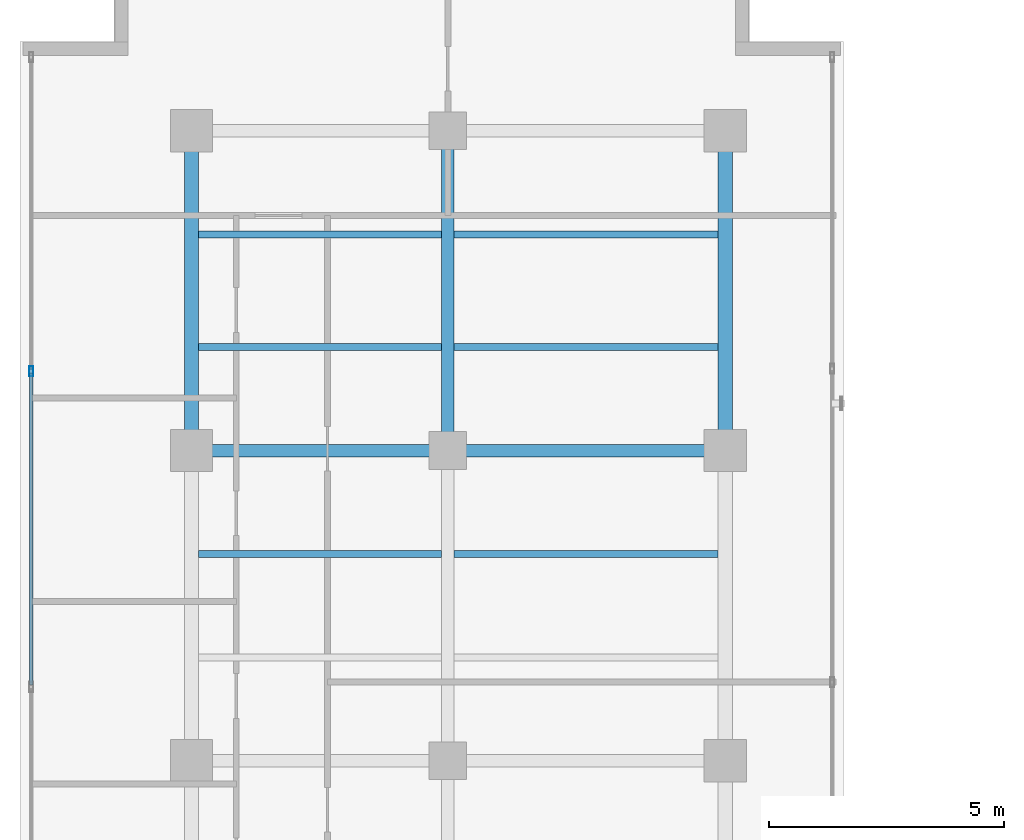
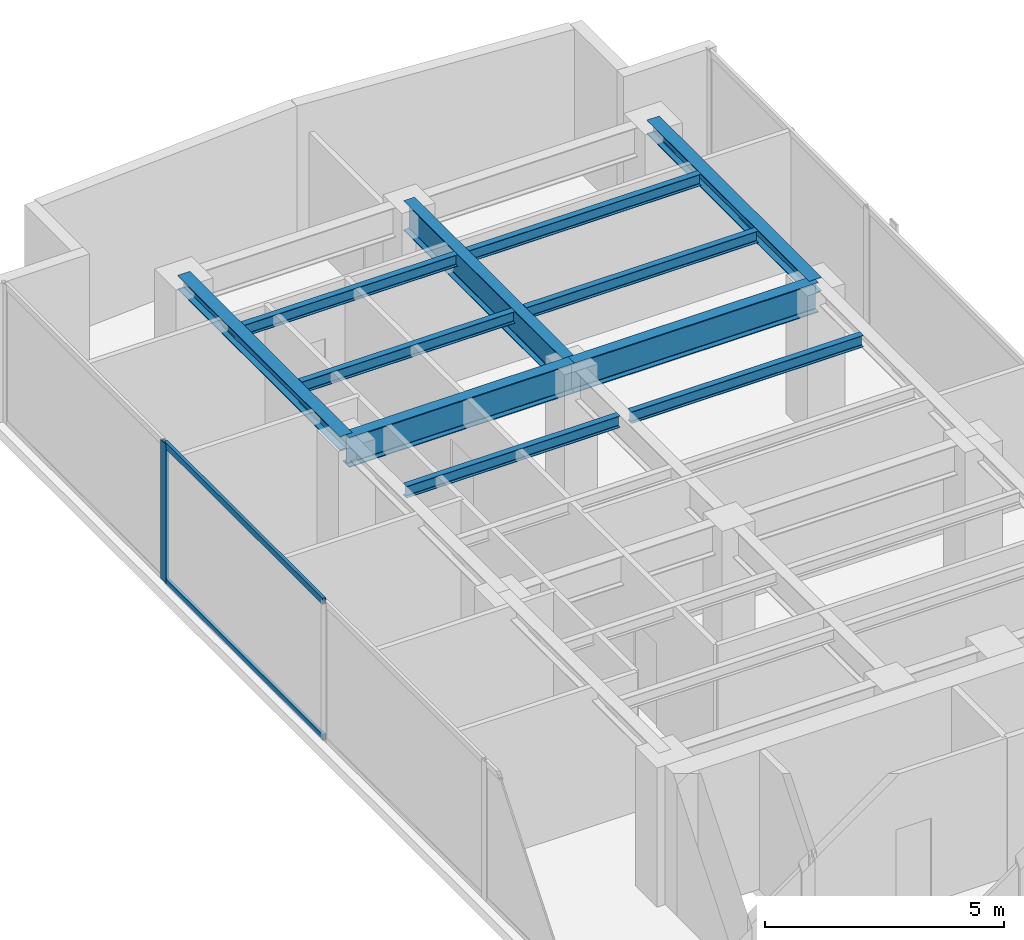
# One storey, part 13 of 24: 11 beams, 3 members, 1 element without a shape of its own.
"""IFC4 building model written with IfcOpenShell, lengths in metres."""

from ifc_helpers import new_model, si_unit, direction, frame, origin, origin_with_axes, origin_2d, place, context, subcontext, project, spatial, hollow_rectangle, i_section, extrude, source, transform, mapped, material, layer, layer_set, material_profile, profile_set, type_object, element, aggregate, save


model = new_model("IFC4")

# Units and contexts
model_context = context("Model", 3, precision=1e-05, world=origin(), true_north=direction((0.0, 1.0)))
body_context = subcontext(model_context, "Body", "Model", "MODEL_VIEW")
ifc_project = project(units=[si_unit("LENGTHUNIT", "METRE"), si_unit("AREAUNIT", "SQUARE_METRE"), si_unit("VOLUMEUNIT", "CUBIC_METRE"), si_unit("PLANEANGLEUNIT", "RADIAN"), si_unit("MASSUNIT", "GRAM", prefix="KILO")], contexts=[model_context])

# Site, building, storey
site_placement = place(None, origin())
site = spatial("IfcSite", under=ifc_project, at=site_placement, CompositionType="ELEMENT")
building_placement = place(site_placement, origin())
building = spatial("IfcBuilding", under=site, at=building_placement, Name="Kolvaren Waterfront Exchange", CompositionType="ELEMENT")
storey_placement = place(building_placement, frame((0.0, 0.0, 293.199951171875)))
storey = spatial("IfcBuildingStorey", under=building, at=storey_placement, Name="L75", CompositionType="ELEMENT", Elevation=293.199951171875)

# Beams
ifc_material_1 = material(Name="Steel S355", Category="steel")
ifc_material_profile_1 = material_profile(ifc_material_1, i_section(OverallWidth=0.300048828125, OverallDepth=0.360107421875, WebThickness=0.012451171875, FlangeThickness=0.0224609375, FilletRadius=0.027099609375, at=origin_2d()), Name="HEB360")
ifc_profile_set_1 = profile_set([ifc_material_profile_1], Name="Steel S355")
beam_type_1 = type_object("IfcBeamType", Name="STR-BM-HEB360", PredefinedType="SPANDREL", material=ifc_profile_set_1)
for number, where, z_axis, x_axis, name in (
    (1, (7.449951171875, 37.800048828125, 3.380126953125), (0.0, 1.0, 0.0), (-1.0, 0.0, 0.0), "L75 north-arm edge beam 3"),
    (2, (18.800048828125, 37.800048828125, 3.380126953125), (0.0, 1.0, 0.0), (-1.0, 0.0, 0.0), "L75 north-arm edge beam 3"),
):
    element("IfcBeam", number, at=place(storey_placement, frame(where, z_axis=z_axis, x_axis=x_axis)), inside=storey, type_object=beam_type_1, Name=name, PredefinedType="SPANDREL", context=body_context, shape_type="SweptSolid", body=[
        extrude(i_section(OverallWidth=0.300048828125, OverallDepth=0.360107421875, WebThickness=0.012451171875, FlangeThickness=0.0224609375, FilletRadius=0.027099609375, at=origin_2d()), origin(), (0.0, 0.0, 1.0), 6.800048828125),
    ])
ifc_material_profile_2 = material_profile(ifc_material_1, i_section(OverallWidth=0.14990234375, OverallDepth=0.300048828125, WebThickness=0.007080078125, FlangeThickness=0.0107421875, FilletRadius=0.014892578125, at=origin_2d()), Name="IPE300")
ifc_profile_set_2 = profile_set([ifc_material_profile_2], Name="Steel S355")
beam_type_2 = type_object("IfcBeamType", Name="STR-BM-IPE300", PredefinedType="JOIST", material=ifc_profile_set_2)
beam_1_placement = place(storey_placement, frame((7.60205078125, 35.60009765625, 3.41015625), z_axis=(1.0, 0.0, 0.0), x_axis=(0.0, 1.0, 0.0)))
element("IfcBeam", 3, at=beam_1_placement, inside=storey, type_object=beam_type_2, Name="L75 north-arm composite joist 4A", PredefinedType="JOIST", context=body_context, shape_type="SweptSolid", body=[
    extrude(i_section(OverallWidth=0.14990234375, OverallDepth=0.300048828125, WebThickness=0.007080078125, FlangeThickness=0.0107421875, FilletRadius=0.014892578125, at=origin_2d()), origin(), (0.0, 0.0, 1.0), 5.162353515625),
])
beam_2_placement = place(storey_placement, frame((13.035400390625, 35.60009765625, 3.41015625), z_axis=(1.0, 0.0, 0.0), x_axis=(0.0, 1.0, 0.0)))
element("IfcBeam", 4, at=beam_2_placement, inside=storey, type_object=beam_type_2, Name="L75 north-arm composite joist 4B", PredefinedType="JOIST", context=body_context, shape_type="SweptSolid", body=[
    extrude(i_section(OverallWidth=0.14990234375, OverallDepth=0.300048828125, WebThickness=0.007080078125, FlangeThickness=0.0107421875, FilletRadius=0.014892578125, at=origin_2d()), origin(), (0.0, 0.0, 1.0), 5.612548828125),
])
beam_3_placement = place(storey_placement, frame((7.60205078125, 40.0, 3.41015625), z_axis=(1.0, 0.0, 0.0), x_axis=(0.0, 1.0, 0.0)))
element("IfcBeam", 5, at=beam_3_placement, inside=storey, type_object=beam_type_2, Name="L75 north-arm composite joist 5A", PredefinedType="JOIST", context=body_context, shape_type="SweptSolid", body=[
    extrude(i_section(OverallWidth=0.14990234375, OverallDepth=0.300048828125, WebThickness=0.007080078125, FlangeThickness=0.0107421875, FilletRadius=0.014892578125, at=origin_2d()), origin(), (0.0, 0.0, 1.0), 5.162353515625),
])
beam_4_placement = place(storey_placement, frame((13.035400390625, 40.0, 3.41015625), z_axis=(1.0, 0.0, 0.0), x_axis=(0.0, 1.0, 0.0)))
element("IfcBeam", 6, at=beam_4_placement, inside=storey, type_object=beam_type_2, Name="L75 north-arm composite joist 5B", PredefinedType="JOIST", context=body_context, shape_type="SweptSolid", body=[
    extrude(i_section(OverallWidth=0.14990234375, OverallDepth=0.300048828125, WebThickness=0.007080078125, FlangeThickness=0.0107421875, FilletRadius=0.014892578125, at=origin_2d()), origin(), (0.0, 0.0, 1.0), 5.612548828125),
])
beam_5_placement = place(storey_placement, frame((7.60205078125, 42.39990234375, 3.41015625), z_axis=(1.0, 0.0, 0.0), x_axis=(0.0, 1.0, 0.0)))
element("IfcBeam", 7, at=beam_5_placement, inside=storey, type_object=beam_type_2, Name="L75 north-arm composite joist 6A", PredefinedType="JOIST", context=body_context, shape_type="SweptSolid", body=[
    extrude(i_section(OverallWidth=0.14990234375, OverallDepth=0.300048828125, WebThickness=0.007080078125, FlangeThickness=0.0107421875, FilletRadius=0.014892578125, at=origin_2d()), origin(), (0.0, 0.0, 1.0), 5.162353515625),
])
beam_6_placement = place(storey_placement, frame((13.035400390625, 42.39990234375, 3.41015625), z_axis=(1.0, 0.0, 0.0), x_axis=(0.0, 1.0, 0.0)))
element("IfcBeam", 8, at=beam_6_placement, inside=storey, type_object=beam_type_2, Name="L75 north-arm composite joist 6B", PredefinedType="JOIST", context=body_context, shape_type="SweptSolid", body=[
    extrude(i_section(OverallWidth=0.14990234375, OverallDepth=0.300048828125, WebThickness=0.007080078125, FlangeThickness=0.0107421875, FilletRadius=0.014892578125, at=origin_2d()), origin(), (0.0, 0.0, 1.0), 5.612548828125),
])
ifc_material_profile_3 = material_profile(ifc_material_1, i_section(OverallWidth=0.26708984375, OverallDepth=0.761962890625, WebThickness=0.014404296875, FlangeThickness=0.021484375, FilletRadius=0.01708984375, at=origin_2d()), Name="IPE750x173")
ifc_profile_set_3 = profile_set([ifc_material_profile_3], Name="Steel S355")
beam_type_3 = type_object("IfcBeamType", Name="STR-BM-IPE750", PredefinedType="BEAM", material=ifc_profile_set_3)
beam_7_placement = place(storey_placement, frame((7.449951171875, 37.800048828125, 3.178955078125), z_axis=(1.0, 0.0, 0.0), x_axis=(0.0, 1.0, 0.0)))
element("IfcBeam", 9, at=beam_7_placement, inside=storey, type_object=beam_type_3, Name="L75 north-arm girder 3A", PredefinedType="BEAM", context=body_context, shape_type="SweptSolid", body=[
    extrude(i_section(OverallWidth=0.26708984375, OverallDepth=0.761962890625, WebThickness=0.014404296875, FlangeThickness=0.021484375, FilletRadius=0.01708984375, at=origin_2d()), origin(), (0.0, 0.0, 1.0), 5.449951171875),
])
beam_8_placement = place(storey_placement, frame((12.89990234375, 37.800048828125, 3.178955078125), z_axis=(1.0, 0.0, 0.0), x_axis=(0.0, 1.0, 0.0)))
element("IfcBeam", 10, at=beam_8_placement, inside=storey, type_object=beam_type_3, Name="L75 north-arm girder 3B", PredefinedType="BEAM", context=body_context, shape_type="SweptSolid", body=[
    extrude(i_section(OverallWidth=0.26708984375, OverallDepth=0.761962890625, WebThickness=0.014404296875, FlangeThickness=0.021484375, FilletRadius=0.01708984375, at=origin_2d()), origin(), (0.0, 0.0, 1.0), 5.900146484375),
])
beam_9_placement = place(storey_placement, frame((12.89990234375, 37.800048828125, 3.178955078125), z_axis=(0.0, 1.0, 0.0), x_axis=(-1.0, 0.0, 0.0)))
element("IfcBeam", 11, at=beam_9_placement, inside=storey, type_object=beam_type_3, Name="L75 north-arm edge beam 3", PredefinedType="BEAM", context=body_context, shape_type="SweptSolid", body=[
    extrude(i_section(OverallWidth=0.26708984375, OverallDepth=0.761962890625, WebThickness=0.014404296875, FlangeThickness=0.021484375, FilletRadius=0.01708984375, at=origin_2d()), origin(), (0.0, 0.0, 1.0), 6.800048828125),
])

# Curtain wall, members
ifc_material_2 = material(Name="Anodised aluminium 6063-T6", Category="aluminium")
ifc_layer = layer(ifc_material_2, 0.219970703125, Name="Anodised aluminium 6063-T6")
ifc_layer_set = layer_set([ifc_layer], Name="Anodised aluminium 6063-T6")
curtain_wall_type = type_object("IfcCurtainWallType", Name="ARC-CW-SYS2", PredefinedType="USERDEFINED", material=ifc_layer_set)
curtain_wall_placement = place(storey_placement, origin())
curtain_wall = element("IfcCurtainWall", 12, at=curtain_wall_placement, inside=storey, type_object=curtain_wall_type, Name="L75 stick curtain wall CW2 (CW-L75-W)", ObjectType="STICK CURTAIN WALL", PredefinedType="USERDEFINED")
ifc_material_profile_4 = material_profile(ifc_material_2, hollow_rectangle(XDim=0.080078125, YDim=0.219970703125, WallThickness=0.0048828125, at=origin_2d()), Name="ALU-MUL-220x80x5")
ifc_profile_set_4 = profile_set([ifc_material_profile_4], Name="Anodised aluminium 6063-T6")
member_type_1 = type_object("IfcMemberType", Name="ARC-CWM-220", PredefinedType="MULLION", material=ifc_profile_set_4)
shared_shape_1 = source(origin_with_axes(), body_context, "Body", "SweptSolid", [
    extrude(hollow_rectangle(XDim=0.080078125, YDim=0.219970703125, WallThickness=0.0048828125, at=origin_2d()), origin(), (0.0, 0.0, 1.0), 3.56005859375),
])
member_1_placement = place(storey_placement, frame((4.0400390625, 39.48779296875, 0.0), z_axis=(0.0, 0.0, 1.0), x_axis=(-1.0, 0.0, 0.0)))
member_1 = element("IfcMember", 13, at=member_1_placement, type_object=member_type_1, Name="CW2 mullion 6", PredefinedType="MULLION", context=body_context, shape_type="MappedRepresentation", body=[
    mapped(shared_shape_1, transform((0.0, 0.0, 0.0), x_axis=(1.0, 0.0, 0.0), y_axis=(0.0, 1.0, 0.0), z_axis=(0.0, 0.0, 1.0), scale=1.0)),
])
ifc_material_profile_5 = material_profile(ifc_material_2, hollow_rectangle(XDim=0.074951171875, YDim=0.159912109375, WallThickness=0.00439453125, at=origin_2d()), Name="ALU-TRN-160x75x4.5")
ifc_profile_set_5 = profile_set([ifc_material_profile_5], Name="Anodised aluminium 6063-T6")
member_type_2 = type_object("IfcMemberType", Name="ARC-CWT-160", PredefinedType="USERDEFINED", material=ifc_profile_set_5)
shared_shape_2 = source(origin_with_axes(), body_context, "Body", "SweptSolid", [
    extrude(hollow_rectangle(XDim=0.074951171875, YDim=0.159912109375, WallThickness=0.00439453125, at=origin_2d()), origin(), (0.0, 0.0, 1.0), 6.637451171875),
])
member_2_placement = place(storey_placement, frame((4.0400390625, 32.810302734375, 0.03759765625), z_axis=(0.0, 1.0, 0.0), x_axis=(-1.0, 0.0, 0.0)))
member_2 = element("IfcMember", 14, at=member_2_placement, type_object=member_type_2, Name="CW2 transom 5.1", ObjectType="TRANSOM", PredefinedType="USERDEFINED", context=body_context, shape_type="MappedRepresentation", body=[
    mapped(shared_shape_2, transform((0.0, 0.0, 0.0), x_axis=(1.0, 0.0, 0.0), y_axis=(0.0, 1.0, 0.0), z_axis=(0.0, 0.0, 1.0), scale=1.0)),
])
member_3_placement = place(storey_placement, frame((4.0400390625, 32.810302734375, 3.5224609375), z_axis=(0.0, 1.0, 0.0), x_axis=(-1.0, 0.0, 0.0)))
member_3 = element("IfcMember", 15, at=member_3_placement, type_object=member_type_2, Name="CW2 transom 5.2", ObjectType="TRANSOM", PredefinedType="USERDEFINED", context=body_context, shape_type="MappedRepresentation", body=[
    mapped(shared_shape_2, transform((0.0, 0.0, 0.0), x_axis=(1.0, 0.0, 0.0), y_axis=(0.0, 1.0, 0.0), z_axis=(0.0, 0.0, 1.0), scale=1.0)),
])
aggregate(curtain_wall, [member_1, member_2, member_3])

save(model, "model.ifc")
